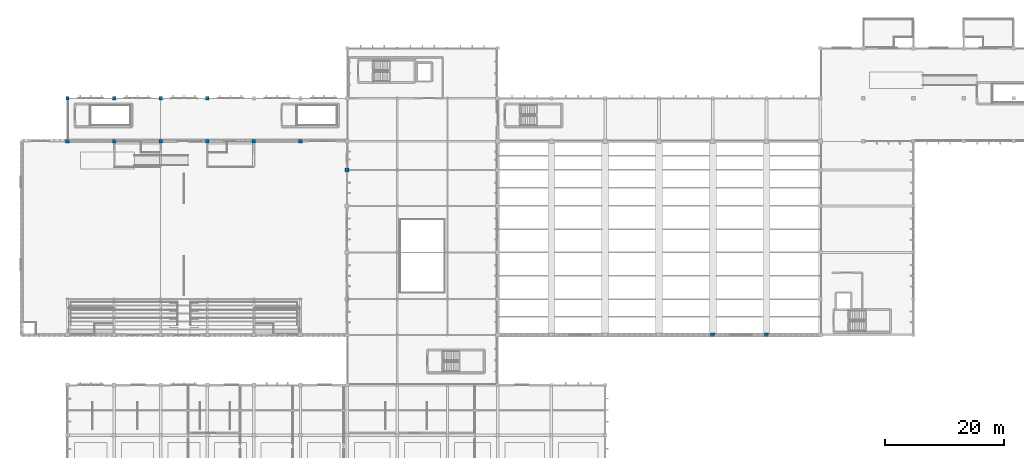
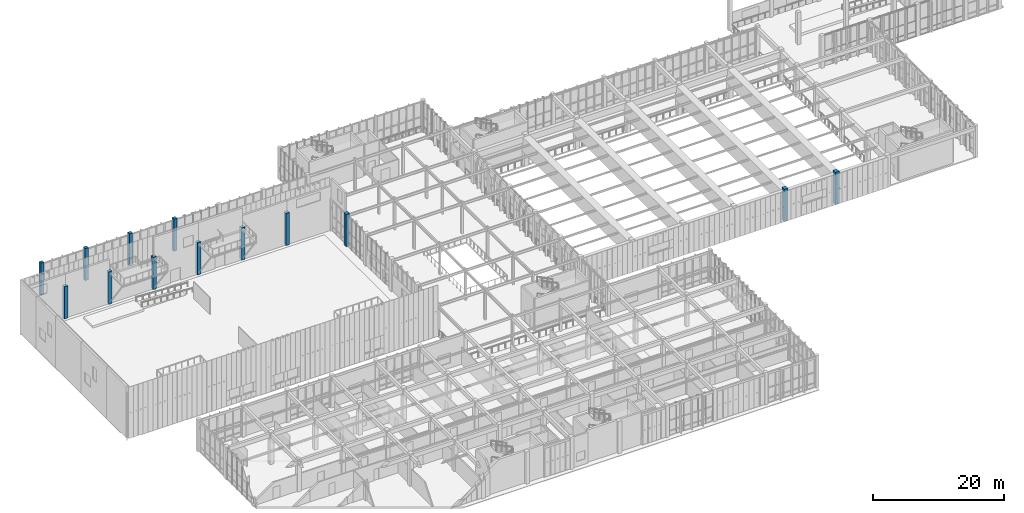
# One storey, part 5 of 105: 13 columns.
"""IFC4 building model written with IfcOpenShell, lengths in metres."""

from ifc_helpers import new_model, si_unit, direction, frame, origin, origin_2d, place, context, subcontext, project, spatial, rectangle, extrude, material, material_profile, profile_set, type_object, element, save


model = new_model("IFC4")

# Units and contexts
model_context = context("Model", 3, precision=1e-05, world=origin(), true_north=direction((0.0, 1.0)))
body_context = subcontext(model_context, "Body", "Model", "MODEL_VIEW")
ifc_project = project(units=[si_unit("LENGTHUNIT", "METRE"), si_unit("AREAUNIT", "SQUARE_METRE"), si_unit("VOLUMEUNIT", "CUBIC_METRE"), si_unit("PLANEANGLEUNIT", "RADIAN"), si_unit("MASSUNIT", "GRAM", prefix="KILO")], contexts=[model_context])

# Site, building, storey
site_placement = place(None, origin())
site = spatial("IfcSite", under=ifc_project, at=site_placement, CompositionType="ELEMENT")
building_placement = place(site_placement, origin())
building = spatial("IfcBuilding", under=site, at=building_placement, Name="Tizgana Railside Sports Hall", CompositionType="ELEMENT")
storey_placement = place(building_placement, frame((0.0, 0.0, 6.0)))
storey = spatial("IfcBuildingStorey", under=building, at=storey_placement, Name="L01", CompositionType="ELEMENT", Elevation=6.0)

# Columns
ifc_material = material(Name="Concrete C40/50", Category="concrete")
ifc_material_profile_1 = material_profile(ifc_material, rectangle(XDim=0.550048828125, YDim=0.550048828125, at=origin_2d()), Name="RC 550x550")
ifc_profile_set_1 = profile_set([ifc_material_profile_1], Name="Concrete C40/50")
column_type_1 = type_object("IfcColumnType", Name="Concrete Column RC 550x550", PredefinedType="COLUMN", material=ifc_profile_set_1)
for number, where, z_axis, x_axis, name in (
    (1, (7.800048828125, 80.39990234375, 0.0), (0.0, 0.0, 1.0), (1.0, 0.0, 0.0), "L01 COL-0027"),
    (2, (15.60009765625, 80.39990234375, 0.0), (0.0, 0.0, 1.0), (1.0, 0.0, 0.0), "L01 COL-0047"),
    (3, (23.39990234375, 80.39990234375, 0.0), (0.0, 0.0, 1.0), (1.0, 0.0, 0.0), "L01 COL-0075"),
    (4, (31.199951171875, 80.39990234375, 0.0), (0.0, 0.0, 1.0), (1.0, 0.0, 0.0), "L01 COL-0095"),
):
    element("IfcColumn", number, at=place(storey_placement, frame(where, z_axis=z_axis, x_axis=x_axis)), inside=storey, type_object=column_type_1, Name=name, PredefinedType="COLUMN", context=body_context, shape_type="SweptSolid", body=[
        extrude(rectangle(XDim=0.550048828125, YDim=0.550048828125, at=origin_2d()), origin(), (0.0, 0.0, 1.0), 6.0),
    ])
ifc_material_profile_2 = material_profile(ifc_material, rectangle(XDim=0.60009765625, YDim=0.60009765625, at=origin_2d()), Name="RC 600x600")
ifc_profile_set_2 = profile_set([ifc_material_profile_2], Name="Concrete C40/50")
column_type_2 = type_object("IfcColumnType", Name="Concrete Column RC 600x600", PredefinedType="COLUMN", material=ifc_profile_set_2)
for number, where, z_axis, x_axis, name in (
    (5, (7.800048828125, 73.199951171875, 0.0), (0.0, 0.0, 1.0), (1.0, 0.0, 0.0), "L01 COL-0023"),
    (6, (15.60009765625, 73.199951171875, 0.0), (0.0, 0.0, 1.0), (1.0, 0.0, 0.0), "L01 COL-0043"),
    (7, (23.39990234375, 73.199951171875, 0.0), (0.0, 0.0, 1.0), (1.0, 0.0, 0.0), "L01 COL-0071"),
    (8, (31.199951171875, 73.199951171875, 0.0), (0.0, 0.0, 1.0), (1.0, 0.0, 0.0), "L01 COL-0091"),
    (9, (39.0, 73.199951171875, 0.0), (0.0, 0.0, 1.0), (1.0, 0.0, 0.0), "L01 COL-0119"),
    (10, (46.800048828125, 73.199951171875, 0.0), (0.0, 0.0, 1.0), (1.0, 0.0, 0.0), "L01 COL-0139"),
):
    element("IfcColumn", number, at=place(storey_placement, frame(where, z_axis=z_axis, x_axis=x_axis)), inside=storey, type_object=column_type_2, Name=name, PredefinedType="COLUMN", context=body_context, shape_type="SweptSolid", body=[
        extrude(rectangle(XDim=0.60009765625, YDim=0.60009765625, at=origin_2d()), origin(), (0.0, 0.0, 1.0), 6.0),
    ])
ifc_material_profile_3 = material_profile(ifc_material, rectangle(XDim=0.64990234375, YDim=0.64990234375, at=origin_2d()), Name="RC 650x650")
ifc_profile_set_3 = profile_set([ifc_material_profile_3], Name="Concrete C40/50")
column_type_3 = type_object("IfcColumnType", Name="Concrete Column RC 650x650", PredefinedType="COLUMN", material=ifc_profile_set_3)
column_placement = place(storey_placement, frame((54.60009765625, 68.39990234375, 0.0), z_axis=(0.0, 0.0, 1.0), x_axis=(1.0, 0.0, 0.0)))
element("IfcColumn", 11, at=column_placement, inside=storey, type_object=column_type_3, Name="L01 COL-0163", PredefinedType="COLUMN", context=body_context, shape_type="SweptSolid", body=[
    extrude(rectangle(XDim=0.64990234375, YDim=0.64990234375, at=origin_2d()), origin(), (0.0, 0.0, 1.0), 6.0),
])
ifc_material_profile_4 = material_profile(ifc_material, rectangle(XDim=0.699951171875, YDim=0.699951171875, at=origin_2d()), Name="RC 700x700")
ifc_profile_set_4 = profile_set([ifc_material_profile_4], Name="Concrete C40/50")
column_type_4 = type_object("IfcColumnType", Name="Concrete Column RC 700x700", PredefinedType="COLUMN", material=ifc_profile_set_4)
for number, where, z_axis, x_axis, name in (
    (12, (115.800048828125, 40.800048828125, 0.0), (0.0, 0.0, 1.0), (1.0, 0.0, 0.0), "L01 COL-0348"),
    (13, (124.800048828125, 40.800048828125, 0.0), (0.0, 0.0, 1.0), (1.0, 0.0, 0.0), "L01 COL-0369"),
):
    element("IfcColumn", number, at=place(storey_placement, frame(where, z_axis=z_axis, x_axis=x_axis)), inside=storey, type_object=column_type_4, Name=name, PredefinedType="COLUMN", context=body_context, shape_type="SweptSolid", body=[
        extrude(rectangle(XDim=0.699951171875, YDim=0.699951171875, at=origin_2d()), origin(), (0.0, 0.0, 1.0), 6.0),
    ])

save(model, "model.ifc")
